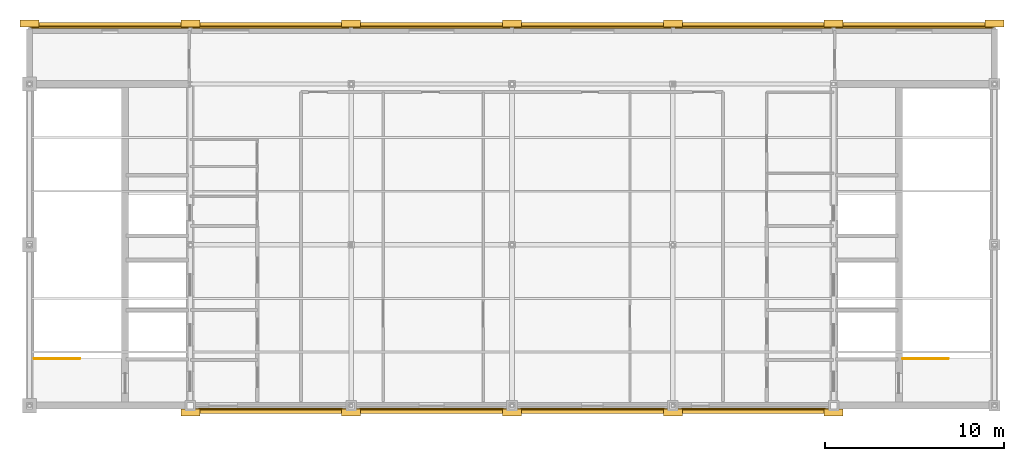
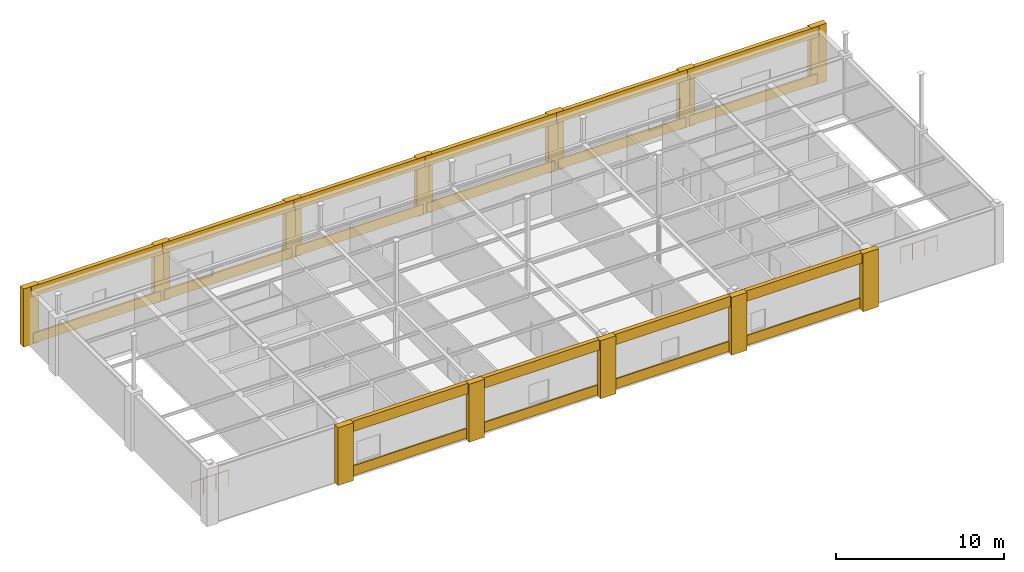
# One storey, part 13 of 13: 32 coverings, 2 railings.
"""IFC4 building model written with IfcOpenShell, lengths in metres."""

from ifc_helpers import new_model, si_unit, direction, frame, origin, origin_2d, place, context, subcontext, project, spatial, rectangle, circle, extrude, material, layer, layer_set, type_object, element, save


model = new_model("IFC4")

# Units and contexts
model_context = context("Model", 3, precision=1e-05, world=origin(), true_north=direction((0.0, 1.0)))
body_context = subcontext(model_context, "Body", "Model", "MODEL_VIEW")
ifc_project = project(units=[si_unit("LENGTHUNIT", "METRE"), si_unit("AREAUNIT", "SQUARE_METRE"), si_unit("VOLUMEUNIT", "CUBIC_METRE"), si_unit("PLANEANGLEUNIT", "RADIAN"), si_unit("MASSUNIT", "GRAM", prefix="KILO")], contexts=[model_context])

# Site, building, storey
site_placement = place(None, origin())
site = spatial("IfcSite", under=ifc_project, at=site_placement, CompositionType="ELEMENT")
building_placement = place(site_placement, origin())
building = spatial("IfcBuilding", under=site, at=building_placement, Name="Lykobir Media Centre", CompositionType="ELEMENT")
storey_placement = place(building_placement, frame((0.0, 0.0, 36.0)))
storey = spatial("IfcBuildingStorey", under=building, at=storey_placement, Name="L08", CompositionType="ELEMENT", Elevation=36.0)

# Coverings
ifc_material_1 = material(Name="Honed Travertine Stone", Category="masonry")
ifc_layer = layer(ifc_material_1, 0.050048828125, Name="Honed Travertine Stone")
ifc_layer_set = layer_set([ifc_layer], Name="Honed Travertine Stone")
covering_type = type_object("IfcCoveringType", Name="CLD-TRAV", PredefinedType="CLADDING", material=ifc_layer_set)
for number, where, z_axis, x_axis, name in (
    (1, (36.0, 21.3798828125, 0.0), (0.0, 0.0, 1.0), (-1.0, 0.0, 0.0), "Travertine column pier 919"),
    (2, (27.0, 21.3798828125, 0.0), (0.0, 0.0, 1.0), (-1.0, 0.0, 0.0), "Travertine column pier 920"),
):
    element("IfcCovering", number, at=place(storey_placement, frame(where, z_axis=z_axis, x_axis=x_axis)), inside=storey, type_object=covering_type, Name=name, PredefinedType="CLADDING", context=body_context, shape_type="SweptSolid", body=[
        extrude(rectangle(XDim=1.06005859375, YDim=0.39990234375, at=origin_2d()), origin(), (0.0, 0.0, 1.0), 4.199951171875),
    ])
covering_1_placement = place(storey_placement, frame((31.5, 21.300048828125, 3.43994140625), z_axis=(0.0, 0.0, 1.0), x_axis=(-1.0, 0.0, 0.0)))
element("IfcCovering", 3, at=covering_1_placement, inside=storey, type_object=covering_type, Name="Travertine spandrel stringcourse 921", PredefinedType="CLADDING", context=body_context, shape_type="SweptSolid", body=[
    extrude(rectangle(XDim=9.0, YDim=0.280029296875, at=origin_2d()), origin(), (0.0, 0.0, 1.0), 0.760009765625),
])
covering_2_placement = place(storey_placement, frame((31.5, 21.18603515625, 0.080078125), z_axis=(0.0, 0.0, 1.0), x_axis=(-1.0, 0.0, 0.0)))
element("IfcCovering", 4, at=covering_2_placement, inside=storey, type_object=covering_type, Name="Facade spandrel apron 922", PredefinedType="CLADDING", context=body_context, shape_type="SweptSolid", body=[
    extrude(rectangle(XDim=8.75, YDim=0.110107421875, at=origin_2d()), origin(), (0.0, 0.0, 1.0), 0.719970703125),
])
covering_3_placement = place(storey_placement, frame((45.0, 21.3798828125, 0.0), z_axis=(0.0, 0.0, 1.0), x_axis=(-1.0, 0.0, 0.0)))
element("IfcCovering", 5, at=covering_3_placement, inside=storey, type_object=covering_type, Name="Travertine column pier 923", PredefinedType="CLADDING", context=body_context, shape_type="SweptSolid", body=[
    extrude(rectangle(XDim=1.06005859375, YDim=0.39990234375, at=origin_2d()), origin(), (0.0, 0.0, 1.0), 4.199951171875),
])
covering_4_placement = place(storey_placement, frame((40.5, 21.300048828125, 3.43994140625), z_axis=(0.0, 0.0, 1.0), x_axis=(-1.0, 0.0, 0.0)))
element("IfcCovering", 6, at=covering_4_placement, inside=storey, type_object=covering_type, Name="Travertine spandrel stringcourse 924", PredefinedType="CLADDING", context=body_context, shape_type="SweptSolid", body=[
    extrude(rectangle(XDim=9.0, YDim=0.280029296875, at=origin_2d()), origin(), (0.0, 0.0, 1.0), 0.760009765625),
])
covering_5_placement = place(storey_placement, frame((40.5, 21.18603515625, 0.080078125), z_axis=(0.0, 0.0, 1.0), x_axis=(-1.0, 0.0, 0.0)))
element("IfcCovering", 7, at=covering_5_placement, inside=storey, type_object=covering_type, Name="Facade spandrel apron 925", PredefinedType="CLADDING", context=body_context, shape_type="SweptSolid", body=[
    extrude(rectangle(XDim=8.75, YDim=0.110107421875, at=origin_2d()), origin(), (0.0, 0.0, 1.0), 0.719970703125),
])
covering_6_placement = place(storey_placement, frame((54.0, 21.3798828125, 0.0), z_axis=(0.0, 0.0, 1.0), x_axis=(-1.0, 0.0, 0.0)))
element("IfcCovering", 8, at=covering_6_placement, inside=storey, type_object=covering_type, Name="Travertine column pier 926", PredefinedType="CLADDING", context=body_context, shape_type="SweptSolid", body=[
    extrude(rectangle(XDim=1.06005859375, YDim=0.39990234375, at=origin_2d()), origin(), (0.0, 0.0, 1.0), 4.199951171875),
])
covering_7_placement = place(storey_placement, frame((49.5, 21.300048828125, 3.43994140625), z_axis=(0.0, 0.0, 1.0), x_axis=(-1.0, 0.0, 0.0)))
element("IfcCovering", 9, at=covering_7_placement, inside=storey, type_object=covering_type, Name="Travertine spandrel stringcourse 927", PredefinedType="CLADDING", context=body_context, shape_type="SweptSolid", body=[
    extrude(rectangle(XDim=9.0, YDim=0.280029296875, at=origin_2d()), origin(), (0.0, 0.0, 1.0), 0.760009765625),
])
covering_8_placement = place(storey_placement, frame((49.5, 21.18603515625, 0.080078125), z_axis=(0.0, 0.0, 1.0), x_axis=(-1.0, 0.0, 0.0)))
element("IfcCovering", 10, at=covering_8_placement, inside=storey, type_object=covering_type, Name="Facade spandrel apron 928", PredefinedType="CLADDING", context=body_context, shape_type="SweptSolid", body=[
    extrude(rectangle(XDim=8.75, YDim=0.110107421875, at=origin_2d()), origin(), (0.0, 0.0, 1.0), 0.719970703125),
])
covering_9_placement = place(storey_placement, frame((63.0, 21.3798828125, 0.0), z_axis=(0.0, 0.0, 1.0), x_axis=(-1.0, 0.0, 0.0)))
element("IfcCovering", 11, at=covering_9_placement, inside=storey, type_object=covering_type, Name="Travertine column pier 929", PredefinedType="CLADDING", context=body_context, shape_type="SweptSolid", body=[
    extrude(rectangle(XDim=1.06005859375, YDim=0.39990234375, at=origin_2d()), origin(), (0.0, 0.0, 1.0), 4.199951171875),
])
covering_10_placement = place(storey_placement, frame((58.5, 21.300048828125, 3.43994140625), z_axis=(0.0, 0.0, 1.0), x_axis=(-1.0, 0.0, 0.0)))
element("IfcCovering", 12, at=covering_10_placement, inside=storey, type_object=covering_type, Name="Travertine spandrel stringcourse 930", PredefinedType="CLADDING", context=body_context, shape_type="SweptSolid", body=[
    extrude(rectangle(XDim=9.0, YDim=0.280029296875, at=origin_2d()), origin(), (0.0, 0.0, 1.0), 0.760009765625),
])
covering_11_placement = place(storey_placement, frame((58.5, 21.18603515625, 0.080078125), z_axis=(0.0, 0.0, 1.0), x_axis=(-1.0, 0.0, 0.0)))
element("IfcCovering", 13, at=covering_11_placement, inside=storey, type_object=covering_type, Name="Facade spandrel apron 931", PredefinedType="CLADDING", context=body_context, shape_type="SweptSolid", body=[
    extrude(rectangle(XDim=8.75, YDim=0.110107421875, at=origin_2d()), origin(), (0.0, 0.0, 1.0), 0.719970703125),
])
covering_12_placement = place(storey_placement, frame((72.0, 21.3798828125, 0.0), z_axis=(0.0, 0.0, 1.0), x_axis=(-1.0, 0.0, 0.0)))
element("IfcCovering", 14, at=covering_12_placement, inside=storey, type_object=covering_type, Name="Travertine column pier 932", PredefinedType="CLADDING", context=body_context, shape_type="SweptSolid", body=[
    extrude(rectangle(XDim=1.06005859375, YDim=0.39990234375, at=origin_2d()), origin(), (0.0, 0.0, 1.0), 4.199951171875),
])
covering_13_placement = place(storey_placement, frame((67.5, 21.300048828125, 3.43994140625), z_axis=(0.0, 0.0, 1.0), x_axis=(-1.0, 0.0, 0.0)))
element("IfcCovering", 15, at=covering_13_placement, inside=storey, type_object=covering_type, Name="Travertine spandrel stringcourse 933", PredefinedType="CLADDING", context=body_context, shape_type="SweptSolid", body=[
    extrude(rectangle(XDim=9.0, YDim=0.280029296875, at=origin_2d()), origin(), (0.0, 0.0, 1.0), 0.760009765625),
])
covering_14_placement = place(storey_placement, frame((67.5, 21.18603515625, 0.080078125), z_axis=(0.0, 0.0, 1.0), x_axis=(-1.0, 0.0, 0.0)))
element("IfcCovering", 16, at=covering_14_placement, inside=storey, type_object=covering_type, Name="Facade spandrel apron 934", PredefinedType="CLADDING", context=body_context, shape_type="SweptSolid", body=[
    extrude(rectangle(XDim=8.75, YDim=0.110107421875, at=origin_2d()), origin(), (0.0, 0.0, 1.0), 0.719970703125),
])
covering_15_placement = place(storey_placement, frame((81.0, 21.3798828125, 0.0), z_axis=(0.0, 0.0, 1.0), x_axis=(-1.0, 0.0, 0.0)))
element("IfcCovering", 17, at=covering_15_placement, inside=storey, type_object=covering_type, Name="Travertine column pier 935", PredefinedType="CLADDING", context=body_context, shape_type="SweptSolid", body=[
    extrude(rectangle(XDim=1.06005859375, YDim=0.39990234375, at=origin_2d()), origin(), (0.0, 0.0, 1.0), 4.199951171875),
])
covering_16_placement = place(storey_placement, frame((76.5, 21.300048828125, 3.43994140625), z_axis=(0.0, 0.0, 1.0), x_axis=(-1.0, 0.0, 0.0)))
element("IfcCovering", 18, at=covering_16_placement, inside=storey, type_object=covering_type, Name="Travertine spandrel stringcourse 936", PredefinedType="CLADDING", context=body_context, shape_type="SweptSolid", body=[
    extrude(rectangle(XDim=9.0, YDim=0.280029296875, at=origin_2d()), origin(), (0.0, 0.0, 1.0), 0.760009765625),
])
covering_17_placement = place(storey_placement, frame((76.5, 21.18603515625, 0.080078125), z_axis=(0.0, 0.0, 1.0), x_axis=(-1.0, 0.0, 0.0)))
element("IfcCovering", 19, at=covering_17_placement, inside=storey, type_object=covering_type, Name="Facade spandrel apron 937", PredefinedType="CLADDING", context=body_context, shape_type="SweptSolid", body=[
    extrude(rectangle(XDim=8.75, YDim=0.110107421875, at=origin_2d()), origin(), (0.0, 0.0, 1.0), 0.719970703125),
])
for number, where, z_axis, x_axis, name in (
    (20, (36.0, -0.3798828125, 0.0), (0.0, 0.0, 1.0), (1.0, 0.0, 0.0), "Travertine column pier 938"),
    (21, (45.0, -0.3798828125, 0.0), (0.0, 0.0, 1.0), (1.0, 0.0, 0.0), "Travertine column pier 939"),
):
    element("IfcCovering", number, at=place(storey_placement, frame(where, z_axis=z_axis, x_axis=x_axis)), inside=storey, type_object=covering_type, Name=name, PredefinedType="CLADDING", context=body_context, shape_type="SweptSolid", body=[
        extrude(rectangle(XDim=1.06005859375, YDim=0.39990234375, at=origin_2d()), origin(), (0.0, 0.0, 1.0), 4.199951171875),
    ])
covering_18_placement = place(storey_placement, frame((40.5, -0.300048828125, 3.43994140625), z_axis=(0.0, 0.0, 1.0), x_axis=(1.0, 0.0, 0.0)))
element("IfcCovering", 22, at=covering_18_placement, inside=storey, type_object=covering_type, Name="Travertine spandrel stringcourse 940", PredefinedType="CLADDING", context=body_context, shape_type="SweptSolid", body=[
    extrude(rectangle(XDim=9.0, YDim=0.280029296875, at=origin_2d()), origin(), (0.0, 0.0, 1.0), 0.760009765625),
])
covering_19_placement = place(storey_placement, frame((40.5, -0.18603515625, 0.080078125), z_axis=(0.0, 0.0, 1.0), x_axis=(1.0, 0.0, 0.0)))
element("IfcCovering", 23, at=covering_19_placement, inside=storey, type_object=covering_type, Name="Facade spandrel apron 941", PredefinedType="CLADDING", context=body_context, shape_type="SweptSolid", body=[
    extrude(rectangle(XDim=8.030029296875, YDim=0.110107421875, at=origin_2d()), origin(), (0.0, 0.0, 1.0), 0.719970703125),
])
covering_20_placement = place(storey_placement, frame((54.0, -0.3798828125, 0.0), z_axis=(0.0, 0.0, 1.0), x_axis=(1.0, 0.0, 0.0)))
element("IfcCovering", 24, at=covering_20_placement, inside=storey, type_object=covering_type, Name="Travertine column pier 942", PredefinedType="CLADDING", context=body_context, shape_type="SweptSolid", body=[
    extrude(rectangle(XDim=1.06005859375, YDim=0.39990234375, at=origin_2d()), origin(), (0.0, 0.0, 1.0), 4.199951171875),
])
covering_21_placement = place(storey_placement, frame((49.5, -0.300048828125, 3.43994140625), z_axis=(0.0, 0.0, 1.0), x_axis=(1.0, 0.0, 0.0)))
element("IfcCovering", 25, at=covering_21_placement, inside=storey, type_object=covering_type, Name="Travertine spandrel stringcourse 943", PredefinedType="CLADDING", context=body_context, shape_type="SweptSolid", body=[
    extrude(rectangle(XDim=9.0, YDim=0.280029296875, at=origin_2d()), origin(), (0.0, 0.0, 1.0), 0.760009765625),
])
covering_22_placement = place(storey_placement, frame((49.5, -0.18603515625, 0.080078125), z_axis=(0.0, 0.0, 1.0), x_axis=(1.0, 0.0, 0.0)))
element("IfcCovering", 26, at=covering_22_placement, inside=storey, type_object=covering_type, Name="Facade spandrel apron 944", PredefinedType="CLADDING", context=body_context, shape_type="SweptSolid", body=[
    extrude(rectangle(XDim=8.030029296875, YDim=0.110107421875, at=origin_2d()), origin(), (0.0, 0.0, 1.0), 0.719970703125),
])
covering_23_placement = place(storey_placement, frame((63.0, -0.3798828125, 0.0), z_axis=(0.0, 0.0, 1.0), x_axis=(1.0, 0.0, 0.0)))
element("IfcCovering", 27, at=covering_23_placement, inside=storey, type_object=covering_type, Name="Travertine column pier 945", PredefinedType="CLADDING", context=body_context, shape_type="SweptSolid", body=[
    extrude(rectangle(XDim=1.06005859375, YDim=0.39990234375, at=origin_2d()), origin(), (0.0, 0.0, 1.0), 4.199951171875),
])
covering_24_placement = place(storey_placement, frame((58.5, -0.300048828125, 3.43994140625), z_axis=(0.0, 0.0, 1.0), x_axis=(1.0, 0.0, 0.0)))
element("IfcCovering", 28, at=covering_24_placement, inside=storey, type_object=covering_type, Name="Travertine spandrel stringcourse 946", PredefinedType="CLADDING", context=body_context, shape_type="SweptSolid", body=[
    extrude(rectangle(XDim=9.0, YDim=0.280029296875, at=origin_2d()), origin(), (0.0, 0.0, 1.0), 0.760009765625),
])
covering_25_placement = place(storey_placement, frame((58.5, -0.18603515625, 0.080078125), z_axis=(0.0, 0.0, 1.0), x_axis=(1.0, 0.0, 0.0)))
element("IfcCovering", 29, at=covering_25_placement, inside=storey, type_object=covering_type, Name="Facade spandrel apron 947", PredefinedType="CLADDING", context=body_context, shape_type="SweptSolid", body=[
    extrude(rectangle(XDim=8.030029296875, YDim=0.110107421875, at=origin_2d()), origin(), (0.0, 0.0, 1.0), 0.719970703125),
])
covering_26_placement = place(storey_placement, frame((72.0, -0.3798828125, 0.0), z_axis=(0.0, 0.0, 1.0), x_axis=(1.0, 0.0, 0.0)))
element("IfcCovering", 30, at=covering_26_placement, inside=storey, type_object=covering_type, Name="Travertine column pier 948", PredefinedType="CLADDING", context=body_context, shape_type="SweptSolid", body=[
    extrude(rectangle(XDim=1.06005859375, YDim=0.39990234375, at=origin_2d()), origin(), (0.0, 0.0, 1.0), 4.199951171875),
])
covering_27_placement = place(storey_placement, frame((67.5, -0.300048828125, 3.43994140625), z_axis=(0.0, 0.0, 1.0), x_axis=(1.0, 0.0, 0.0)))
element("IfcCovering", 31, at=covering_27_placement, inside=storey, type_object=covering_type, Name="Travertine spandrel stringcourse 949", PredefinedType="CLADDING", context=body_context, shape_type="SweptSolid", body=[
    extrude(rectangle(XDim=9.0, YDim=0.280029296875, at=origin_2d()), origin(), (0.0, 0.0, 1.0), 0.760009765625),
])
covering_28_placement = place(storey_placement, frame((67.5, -0.18603515625, 0.080078125), z_axis=(0.0, 0.0, 1.0), x_axis=(1.0, 0.0, 0.0)))
element("IfcCovering", 32, at=covering_28_placement, inside=storey, type_object=covering_type, Name="Facade spandrel apron 950", PredefinedType="CLADDING", context=body_context, shape_type="SweptSolid", body=[
    extrude(rectangle(XDim=8.030029296875, YDim=0.110107421875, at=origin_2d()), origin(), (0.0, 0.0, 1.0), 0.719970703125),
])

# Railings
ifc_material_2 = material(Name="Steel S355", Category="steel")
railing_type = type_object("IfcRailingType", Name="GR-1200", PredefinedType="BALUSTRADE", material=ifc_material_2)
railing_1_placement = place(storey_placement, frame((27.27001953125, 2.6298828125, 0.0)))
element("IfcRailing", 33, at=railing_1_placement, inside=storey, type_object=railing_type, Name="ST-1 L08 arrival well guard", PredefinedType="BALUSTRADE", context=body_context, shape_type="SweptSolid", body=[
    extrude(circle(Radius=0.02392578125, at=origin_2d()), frame((0.0, 0.0, 1.17578125), z_axis=(1.0, 0.0, 0.0), x_axis=(0.0, 1.0, 0.0)), (0.0, 0.0, 1.0), 2.5400390625),
    extrude(circle(Radius=0.02099609375, at=origin_2d()), origin(), (0.0, 0.0, 1.0), 1.15185546875),
    extrude(circle(Radius=0.02099609375, at=origin_2d()), frame((0.8466796875, 0.0, 0.0)), (0.0, 0.0, 1.0), 1.15185546875),
    extrude(circle(Radius=0.02099609375, at=origin_2d()), frame((1.693359375, 0.0, 0.0)), (0.0, 0.0, 1.0), 1.15185546875),
    extrude(circle(Radius=0.02099609375, at=origin_2d()), frame((2.5400390625, 0.0, 0.0)), (0.0, 0.0, 1.0), 1.15185546875),
])
railing_2_placement = place(storey_placement, frame((75.8701171875, 2.6298828125, 0.0)))
element("IfcRailing", 34, at=railing_2_placement, inside=storey, type_object=railing_type, Name="ST-2 L08 arrival well guard", PredefinedType="BALUSTRADE", context=body_context, shape_type="SweptSolid", body=[
    extrude(circle(Radius=0.02392578125, at=origin_2d()), frame((0.0, 0.0, 1.17578125), z_axis=(1.0, 0.0, 0.0), x_axis=(0.0, 1.0, 0.0)), (0.0, 0.0, 1.0), 2.539794921875),
    extrude(circle(Radius=0.02099609375, at=origin_2d()), origin(), (0.0, 0.0, 1.0), 1.15185546875),
    extrude(circle(Radius=0.02099609375, at=origin_2d()), frame((0.8466796875, 0.0, 0.0)), (0.0, 0.0, 1.0), 1.15185546875),
    extrude(circle(Radius=0.02099609375, at=origin_2d()), frame((1.693115234375, 0.0, 0.0)), (0.0, 0.0, 1.0), 1.15185546875),
    extrude(circle(Radius=0.02099609375, at=origin_2d()), frame((2.539794921875, 0.0, 0.0)), (0.0, 0.0, 1.0), 1.15185546875),
])

save(model, "model.ifc")
